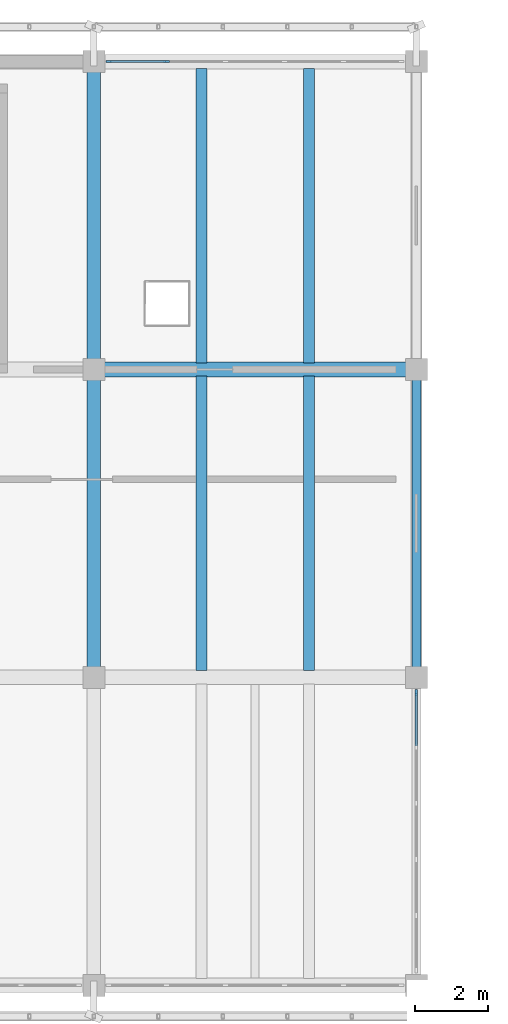
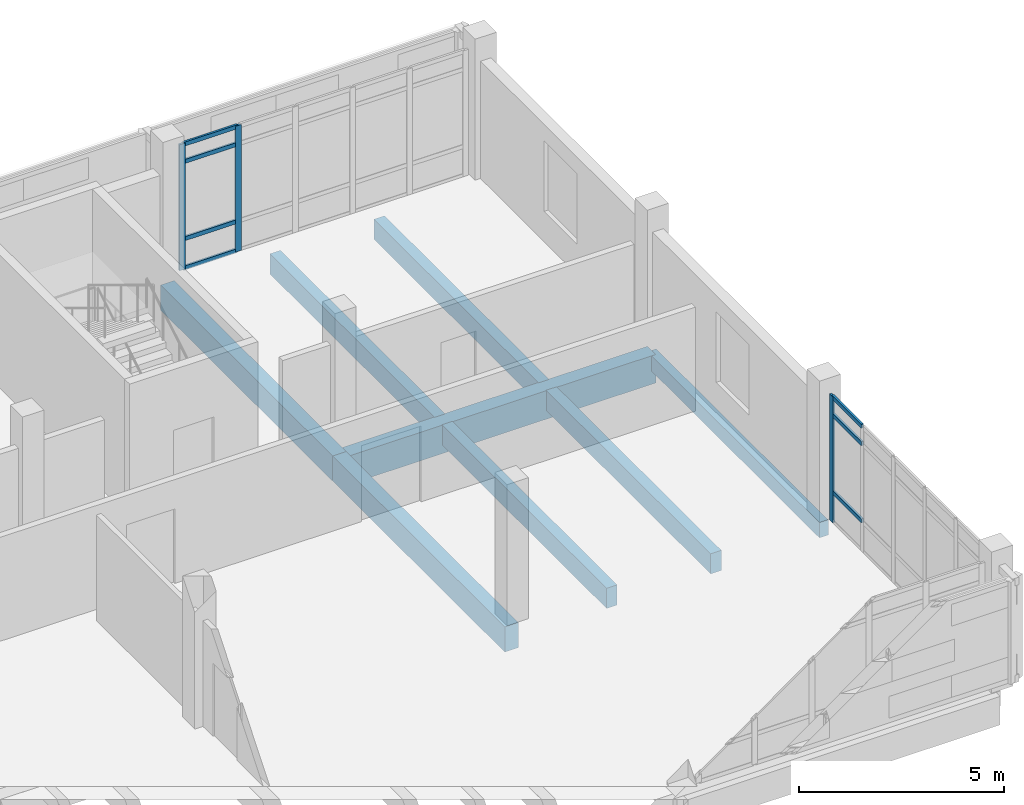
# One storey, part 88 of 137: 10 members, 8 beams, 2 elements without a shape of their own.
"""IFC4 building model written with IfcOpenShell, lengths in metres."""

from ifc_helpers import new_model, si_unit, direction, frame, origin, origin_2d, place, context, subcontext, project, spatial, rectangle, extrude, material, material_profile, profile_set, type_object, element, aggregate, save


model = new_model("IFC4")

# Units and contexts
model_context = context("Model", 3, precision=1e-05, world=origin(), true_north=direction((0.0, 1.0)))
body_context = subcontext(model_context, "Body", "Model", "MODEL_VIEW")
ifc_project = project(units=[si_unit("LENGTHUNIT", "METRE"), si_unit("AREAUNIT", "SQUARE_METRE"), si_unit("VOLUMEUNIT", "CUBIC_METRE"), si_unit("PLANEANGLEUNIT", "RADIAN"), si_unit("MASSUNIT", "GRAM", prefix="KILO")], contexts=[model_context])

# Site, building, storey
site_placement = place(None, origin())
site = spatial("IfcSite", under=ifc_project, at=site_placement, CompositionType="ELEMENT")
building_placement = place(site_placement, origin())
building = spatial("IfcBuilding", under=site, at=building_placement, Name="Cinderway Yard Community Centre", CompositionType="ELEMENT")
storey_placement = place(building_placement, frame((0.0, 0.0, 4.800048828125)))
storey = spatial("IfcBuildingStorey", under=building, at=storey_placement, Name="L01", CompositionType="ELEMENT", Elevation=4.800048828125)

# Curtain wall, members
ifc_material_1 = material(Name="Aluminium 6063-T6", Category="aluminium")
curtain_wall_type_1 = type_object("IfcCurtainWallType", Name="ENV-CW-TYPE-27", PredefinedType="USERDEFINED", material=ifc_material_1)
curtain_wall_1_placement = place(storey_placement, origin())
curtain_wall_1 = element("IfcCurtainWall", 1, at=curtain_wall_1_placement, inside=storey, type_object=curtain_wall_type_1, Name="V4 Street Curtain Wall ENV-CW-L01-ST-0138", ObjectType="GLAZED CURTAIN WALL", PredefinedType="USERDEFINED")
ifc_material_profile_1 = material_profile(ifc_material_1, rectangle(XDim=0.06005859375, YDim=0.159912109375, at=origin_2d()), Name="Aluminium 6063-T6")
ifc_profile_set_1 = profile_set([ifc_material_profile_1], Name="Aluminium 6063-T6")
member_type_1 = type_object("IfcMemberType", Name="ENV-CW-MULL-150", PredefinedType="MULLION", material=ifc_profile_set_1)
member_1_placement = place(storey_placement, frame((137.2099609375, 115.199951171875, 0.0), z_axis=(0.0, 0.0, 1.0), x_axis=(0.0, 1.0, 0.0)))
member_1 = element("IfcMember", 2, at=member_1_placement, type_object=member_type_1, Name="CW-27 mullion 1", PredefinedType="MULLION", context=body_context, shape_type="SweptSolid", body=[
    extrude(rectangle(XDim=0.06005859375, YDim=0.159912109375, at=origin_2d()), origin(), (0.0, 0.0, 1.0), 3.75),
])
member_2_placement = place(storey_placement, frame((138.7880859375, 115.199951171875, 0.0), z_axis=(0.0, 0.0, 1.0), x_axis=(0.0, 1.0, 0.0)))
member_2 = element("IfcMember", 3, at=member_2_placement, type_object=member_type_1, Name="CW-27 mullion 2", PredefinedType="MULLION", context=body_context, shape_type="SweptSolid", body=[
    extrude(rectangle(XDim=0.06005859375, YDim=0.159912109375, at=origin_2d()), origin(), (0.0, 0.0, 1.0), 3.75),
])

# Curtain wall, member
curtain_wall_type_2 = type_object("IfcCurtainWallType", Name="ENV-CW-TYPE-26", PredefinedType="USERDEFINED", material=ifc_material_1)
curtain_wall_2_placement = place(storey_placement, origin())
curtain_wall_2 = element("IfcCurtainWall", 4, at=curtain_wall_2_placement, inside=storey, type_object=curtain_wall_type_2, Name="V4 East End Curtain Wall ENV-CW-L01-ST-0141", ObjectType="GLAZED CURTAIN WALL", PredefinedType="USERDEFINED")
member_3_placement = place(storey_placement, frame((145.60009765625, 97.989990234375, 0.0), z_axis=(0.0, 0.0, 1.0), x_axis=(-1.0, 0.0, 0.0)))
member_3 = element("IfcMember", 5, at=member_3_placement, type_object=member_type_1, Name="CW-26 mullion 6", PredefinedType="MULLION", context=body_context, shape_type="SweptSolid", body=[
    extrude(rectangle(XDim=0.06005859375, YDim=0.159912109375, at=origin_2d()), origin(), (0.0, 0.0, 1.0), 3.75),
])

# Member
ifc_material_profile_2 = material_profile(ifc_material_1, rectangle(XDim=0.06005859375, YDim=0.1201171875, at=origin_2d()), Name="Aluminium 6063-T6")
ifc_profile_set_2 = profile_set([ifc_material_profile_2], Name="Aluminium 6063-T6")
member_type_2 = type_object("IfcMemberType", Name="ENV-CW-TRAN-110", PredefinedType="USERDEFINED", material=ifc_profile_set_2)
member_4_placement = place(storey_placement, frame((137.239990234375, 115.199951171875, 0.030029296875), z_axis=(1.0, 0.0, 0.0), x_axis=(0.0, 1.0, 0.0)))
member_4 = element("IfcMember", 6, at=member_4_placement, type_object=member_type_2, Name="CW-27 transom 1.1", ObjectType="TRANSOM", PredefinedType="USERDEFINED", context=body_context, shape_type="SweptSolid", body=[
    extrude(rectangle(XDim=0.06005859375, YDim=0.1201171875, at=origin_2d()), origin(), (0.0, 0.0, 1.0), 1.51806640625),
])

member_5_placement = place(storey_placement, frame((137.239990234375, 115.199951171875, 0.89990234375), z_axis=(1.0, 0.0, 0.0), x_axis=(0.0, 1.0, 0.0)))
member_5 = element("IfcMember", 7, at=member_5_placement, type_object=member_type_2, Name="CW-27 transom 1.2", ObjectType="TRANSOM", PredefinedType="USERDEFINED", context=body_context, shape_type="SweptSolid", body=[
    extrude(rectangle(XDim=0.06005859375, YDim=0.1201171875, at=origin_2d()), origin(), (0.0, 0.0, 1.0), 1.51806640625),
])

member_6_placement = place(storey_placement, frame((137.239990234375, 115.199951171875, 3.199951171875), z_axis=(1.0, 0.0, 0.0), x_axis=(0.0, 1.0, 0.0)))
member_6 = element("IfcMember", 8, at=member_6_placement, type_object=member_type_2, Name="CW-27 transom 1.3", ObjectType="TRANSOM", PredefinedType="USERDEFINED", context=body_context, shape_type="SweptSolid", body=[
    extrude(rectangle(XDim=0.06005859375, YDim=0.1201171875, at=origin_2d()), origin(), (0.0, 0.0, 1.0), 1.51806640625),
])

member_7_placement = place(storey_placement, frame((137.239990234375, 115.199951171875, 3.719970703125), z_axis=(1.0, 0.0, 0.0), x_axis=(0.0, 1.0, 0.0)))
member_7 = element("IfcMember", 9, at=member_7_placement, type_object=member_type_2, Name="CW-27 transom 1.4", ObjectType="TRANSOM", PredefinedType="USERDEFINED", context=body_context, shape_type="SweptSolid", body=[
    extrude(rectangle(XDim=0.06005859375, YDim=0.1201171875, at=origin_2d()), origin(), (0.0, 0.0, 1.0), 1.51806640625),
])

aggregate(curtain_wall_1, [member_1, member_2, member_4, member_5, member_6, member_7])

member_8_placement = place(storey_placement, frame((145.60009765625, 96.52197265625, 0.89990234375), z_axis=(0.0, 1.0, 0.0), x_axis=(-1.0, 0.0, 0.0)))
member_8 = element("IfcMember", 10, at=member_8_placement, type_object=member_type_2, Name="CW-26 transom 5.2", ObjectType="TRANSOM", PredefinedType="USERDEFINED", context=body_context, shape_type="SweptSolid", body=[
    extrude(rectangle(XDim=0.06005859375, YDim=0.1201171875, at=origin_2d()), origin(), (0.0, 0.0, 1.0), 1.43798828125),
])

member_9_placement = place(storey_placement, frame((145.60009765625, 96.52197265625, 3.199951171875), z_axis=(0.0, 1.0, 0.0), x_axis=(-1.0, 0.0, 0.0)))
member_9 = element("IfcMember", 11, at=member_9_placement, type_object=member_type_2, Name="CW-26 transom 5.3", ObjectType="TRANSOM", PredefinedType="USERDEFINED", context=body_context, shape_type="SweptSolid", body=[
    extrude(rectangle(XDim=0.06005859375, YDim=0.1201171875, at=origin_2d()), origin(), (0.0, 0.0, 1.0), 1.43798828125),
])

member_10_placement = place(storey_placement, frame((145.60009765625, 96.52197265625, 3.719970703125), z_axis=(0.0, 1.0, 0.0), x_axis=(-1.0, 0.0, 0.0)))
member_10 = element("IfcMember", 12, at=member_10_placement, type_object=member_type_2, Name="CW-26 transom 5.4", ObjectType="TRANSOM", PredefinedType="USERDEFINED", context=body_context, shape_type="SweptSolid", body=[
    extrude(rectangle(XDim=0.06005859375, YDim=0.1201171875, at=origin_2d()), origin(), (0.0, 0.0, 1.0), 1.43798828125),
])

aggregate(curtain_wall_2, [member_3, member_8, member_9, member_10])

# Beams
ifc_material_2 = material(Name="Concrete C40/50", Category="concrete")
ifc_material_profile_3 = material_profile(ifc_material_2, rectangle(XDim=0.25, YDim=0.449951171875, at=origin_2d()), Name="Concrete C40/50")
ifc_profile_set_3 = profile_set([ifc_material_profile_3], Name="Concrete C40/50")
beam_type_1 = type_object("IfcBeamType", Name="STR-BM-RC250X450", PredefinedType="SPANDREL", material=ifc_profile_set_3)
beam_1_placement = place(storey_placement, frame((145.60009765625, 98.39990234375, -0.485107421875), z_axis=(0.0, 1.0, 0.0), x_axis=(-1.0, 0.0, 0.0)))
element("IfcBeam", 13, at=beam_1_placement, inside=storey, type_object=beam_type_1, Name="Transverse girder STR-BM-L01-SP02-0257", PredefinedType="SPANDREL", context=body_context, shape_type="SweptSolid", body=[
    extrude(rectangle(XDim=0.25, YDim=0.449951171875, at=origin_2d()), origin(), (0.0, 0.0, 1.0), 8.400146484375),
])
ifc_material_3 = material(Name="Concrete C35/45", Category="concrete")
ifc_material_profile_4 = material_profile(ifc_material_3, rectangle(XDim=0.300048828125, YDim=0.60009765625, at=origin_2d()), Name="Concrete C35/45")
ifc_profile_set_4 = profile_set([ifc_material_profile_4], Name="Concrete C35/45")
beam_type_2 = type_object("IfcBeamType", Name="STR-BM-RC300X600", PredefinedType="JOIST", material=ifc_profile_set_4)
for number, where, z_axis, x_axis, name in (
    (14, (139.73291015625, 98.58203125, -0.56005859375), (0.0, 1.0, 0.0), (-1.0, 0.0, 0.0), "Secondary joist STR-BM-L01-BJ02-0321"),
    (15, (142.6669921875, 98.58203125, -0.56005859375), (0.0, 1.0, 0.0), (-1.0, 0.0, 0.0), "Secondary joist STR-BM-L01-BJ02-0322"),
):
    element("IfcBeam", number, at=place(storey_placement, frame(where, z_axis=z_axis, x_axis=x_axis)), inside=storey, type_object=beam_type_2, Name=name, PredefinedType="JOIST", context=body_context, shape_type="SweptSolid", body=[
        extrude(rectangle(XDim=0.300048828125, YDim=0.60009765625, at=origin_2d()), origin(), (0.0, 0.0, 1.0), 8.035888671875),
    ])
for number, where, z_axis, x_axis, name in (
    (16, (139.73291015625, 106.98193359375, -0.56005859375), (0.0, 1.0, 0.0), (-1.0, 0.0, 0.0), "Secondary joist STR-BM-L01-BJ02-0323"),
    (17, (142.6669921875, 106.98193359375, -0.56005859375), (0.0, 1.0, 0.0), (-1.0, 0.0, 0.0), "Secondary joist STR-BM-L01-BJ02-0324"),
):
    element("IfcBeam", number, at=place(storey_placement, frame(where, z_axis=z_axis, x_axis=x_axis)), inside=storey, type_object=beam_type_2, Name=name, PredefinedType="JOIST", context=body_context, shape_type="SweptSolid", body=[
        extrude(rectangle(XDim=0.300048828125, YDim=0.60009765625, at=origin_2d()), origin(), (0.0, 0.0, 1.0), 8.0361328125),
    ])
ifc_material_profile_5 = material_profile(ifc_material_3, rectangle(XDim=0.3798828125, YDim=0.75, at=origin_2d()), Name="Concrete C35/45")
ifc_profile_set_5 = profile_set([ifc_material_profile_5], Name="Concrete C35/45")
beam_type_3 = type_object("IfcBeamType", Name="STR-BM-RC380X750", PredefinedType="BEAM", material=ifc_profile_set_5)
beam_2_placement = place(storey_placement, frame((136.800048828125, 98.39990234375, -0.635009765625), z_axis=(0.0, 1.0, 0.0), x_axis=(-1.0, 0.0, 0.0)))
element("IfcBeam", 18, at=beam_2_placement, inside=storey, type_object=beam_type_3, Name="Transverse girder STR-BM-L01-BG06-0254", PredefinedType="BEAM", context=body_context, shape_type="SweptSolid", body=[
    extrude(rectangle(XDim=0.3798828125, YDim=0.75, at=origin_2d()), origin(), (0.0, 0.0, 1.0), 8.400146484375),
])
beam_3_placement = place(storey_placement, frame((136.800048828125, 106.800048828125, -0.635009765625), z_axis=(0.0, 1.0, 0.0), x_axis=(-1.0, 0.0, 0.0)))
element("IfcBeam", 19, at=beam_3_placement, inside=storey, type_object=beam_type_3, Name="Transverse girder STR-BM-L01-BG06-0255", PredefinedType="BEAM", context=body_context, shape_type="SweptSolid", body=[
    extrude(rectangle(XDim=0.3798828125, YDim=0.75, at=origin_2d()), origin(), (0.0, 0.0, 1.0), 8.39990234375),
])
ifc_material_profile_6 = material_profile(ifc_material_2, rectangle(XDim=0.39990234375, YDim=0.85009765625, at=origin_2d()), Name="Concrete C40/50")
ifc_profile_set_6 = profile_set([ifc_material_profile_6], Name="Concrete C40/50")
beam_type_4 = type_object("IfcBeamType", Name="STR-BM-RC400X850", PredefinedType="BEAM", material=ifc_profile_set_6)
beam_4_placement = place(storey_placement, frame((136.800048828125, 106.800048828125, -0.68505859375), z_axis=(1.0, 0.0, 0.0), x_axis=(0.0, 1.0, 0.0)))
element("IfcBeam", 20, at=beam_4_placement, inside=storey, type_object=beam_type_4, Name="Primary girder STR-BM-L01-BG04-0207", PredefinedType="BEAM", context=body_context, shape_type="SweptSolid", body=[
    extrude(rectangle(XDim=0.39990234375, YDim=0.85009765625, at=origin_2d()), origin(), (0.0, 0.0, 1.0), 8.800048828125),
])

save(model, "model.ifc")
